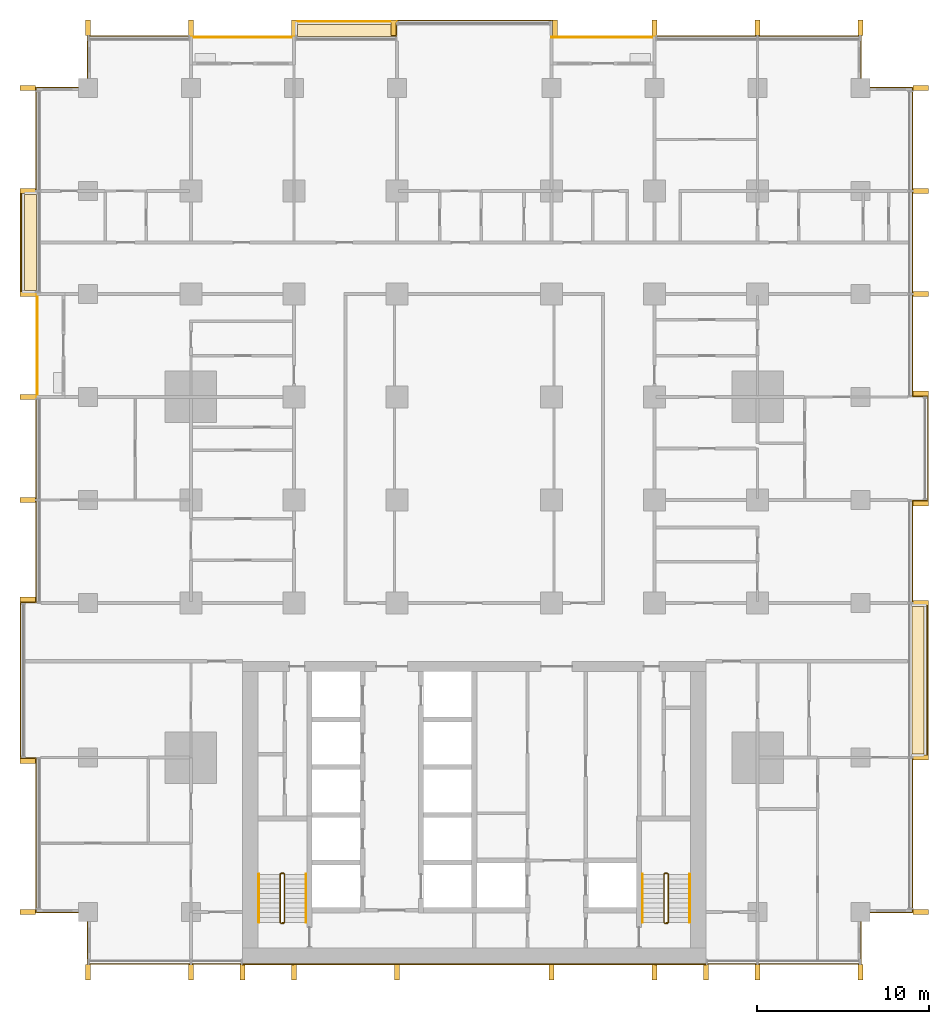
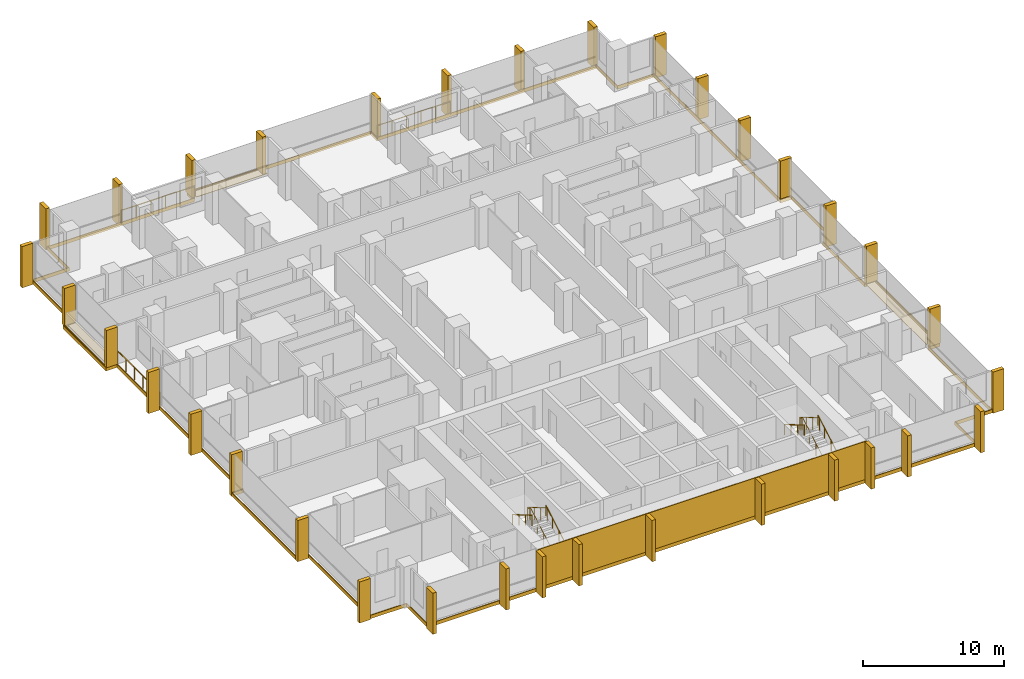
# One storey, part 18 of 18: 34 shading devices, 12 coverings, 9 railings.
"""IFC4 building model written with IfcOpenShell, lengths in metres."""

import ifcopenshell
import ifcopenshell.guid

model = None  # the IFC model being written
_history = None  # IfcOwnerHistory: only IFC2X3 demands one
_inside = {}  # id of a spatial element -> (the spatial element, [elements in it])
_under = {}  # id of a project, library or spatial element -> (it, [spatial elements below it])
_declared = {}  # id of a project -> (the project, [libraries it declares])
_typed = {}  # id of a type object -> (the type object, [elements of that type])
_made_of = {}  # id of a material, layer set ... -> (it, [elements and type objects made of it])


def new_model(schema):
    """Start an empty IFC model of exactly this schema.

    Asked for "IFC4X3", IfcOpenShell would pick the latest addendum, in which some entities
    have other attributes; the version numbers below select the first issue.
    IFC2X3 requires an IfcOwnerHistory on every rooted entity: one is made here for all.
    """
    global model, _history
    if schema == "IFC4X3":
        model = ifcopenshell.file(schema_version=(4, 3, 0, 0))
    else:
        model = ifcopenshell.file(schema=schema)
    _inside.clear()
    _under.clear()
    _declared.clear()
    _typed.clear()
    _made_of.clear()
    _history = None
    if model.schema == "IFC2X3":
        org = make("IfcOrganization", Name="unknown")
        user = make(
            "IfcPersonAndOrganization",
            ThePerson=make("IfcPerson", FamilyName="unknown"),
            TheOrganization=org,
        )
        app = make(
            "IfcApplication",
            ApplicationDeveloper=org,
            Version="unknown",
            ApplicationFullName="unknown",
            ApplicationIdentifier="unknown",
        )
        _history = make(
            "IfcOwnerHistory",
            OwningUser=user,
            OwningApplication=app,
            ChangeAction="ADDED",
            CreationDate=0,
        )
    return model


def make(cls, **values):
    """One entity of the class cls with the attributes given. An attribute that is None is left unset."""
    return model.create_entity(
        cls, **{name: value for name, value in values.items() if value is not None}
    )


def rooted(cls, **values):
    """An entity with a GlobalId (a new one), such as an element, a storey or a relation."""
    return make(cls, GlobalId=ifcopenshell.guid.new(), OwnerHistory=_history, **values)


def si_unit(unit_type, name, prefix=None):
    """IfcSIUnit, for example si_unit("LENGTHUNIT", "METRE", prefix="MILLI")."""
    return make("IfcSIUnit", UnitType=unit_type, Prefix=prefix, Name=name)


def assignment(units):
    """IfcUnitAssignment: the units of a project."""
    return None if units is None else make("IfcUnitAssignment", Units=units)


def point(xyz):
    """IfcCartesianPoint."""
    return None if xyz is None else make("IfcCartesianPoint", Coordinates=xyz)


def direction(xyz):
    """IfcDirection."""
    return None if xyz is None else make("IfcDirection", DirectionRatios=xyz)


def frame(location, z_axis=None, x_axis=None):
    """IfcAxis2Placement3D, a coordinate frame: its origin and axes. An axis left out is left unset."""
    return make(
        "IfcAxis2Placement3D",
        Location=point(location),
        Axis=direction(z_axis),
        RefDirection=direction(x_axis),
    )


def frame_2d(location, x_axis=None):
    """IfcAxis2Placement2D, a coordinate frame in the plane: its origin and x axis."""
    return make(
        "IfcAxis2Placement2D", Location=point(location), RefDirection=direction(x_axis)
    )


def origin():
    """The frame at (0, 0, 0) with its axes left unset."""
    return frame((0.0, 0.0, 0.0))


def origin_2d():
    """The frame at (0, 0) in the plane with its x axis left unset."""
    return frame_2d((0.0, 0.0))


def place(relative_to, where):
    """IfcLocalPlacement: puts the frame where relative to a parent placement (None: the world)."""
    return make(
        "IfcLocalPlacement", PlacementRelTo=relative_to, RelativePlacement=where
    )


def context(
    kind, dimensions, precision=None, world=None, true_north=None, identifier=None
):
    """IfcGeometricRepresentationContext, for example the 3D "Model" context."""
    return make(
        "IfcGeometricRepresentationContext",
        ContextIdentifier=identifier,
        ContextType=kind,
        CoordinateSpaceDimension=dimensions,
        Precision=precision,
        WorldCoordinateSystem=world,
        TrueNorth=true_north,
    )


def subcontext(parent, identifier, kind, view, scale=None):
    """IfcGeometricRepresentationSubContext, for example "Body" below "Model"."""
    return make(
        "IfcGeometricRepresentationSubContext",
        ContextIdentifier=identifier,
        ContextType=kind,
        ParentContext=parent,
        TargetScale=scale,
        TargetView=view,
    )


def project(units=None, contexts=None):
    """IfcProject with its units and contexts."""
    return rooted(
        "IfcProject",
        Name="project",
        RepresentationContexts=contexts,
        UnitsInContext=assignment(units),
    )


def spatial(cls, under=None, at=None, **own):
    """A site, building, storey or space (cls), placed at a placement, below another one or the project."""
    s = rooted(cls, ObjectPlacement=at, **own)
    if under is not None:
        _under.setdefault(under.id(), (under, []))[1].append(s)
    return s


def polyline(points):
    """IfcPolyline through the points."""
    return make("IfcPolyline", Points=[point(p) for p in points])


def profile(cls, at=None, kind="AREA", **sizes):
    """A parametric profile (cls). Its sizes go by their IFC names, for example OverallWidth=200.0."""
    return make(cls, ProfileType=kind, Position=at, **sizes)


def rectangle(**sizes):
    """IfcRectangleProfileDef."""
    return profile("IfcRectangleProfileDef", **sizes)


def circle(**sizes):
    """IfcCircleProfileDef."""
    return profile("IfcCircleProfileDef", **sizes)


def outline(outer, holes=None, kind="AREA"):
    """IfcArbitraryClosedProfileDef: a profile drawn as a closed curve; with holes, ...WithVoids."""
    if holes is None:
        return make("IfcArbitraryClosedProfileDef", ProfileType=kind, OuterCurve=outer)
    return make(
        "IfcArbitraryProfileDefWithVoids",
        ProfileType=kind,
        OuterCurve=outer,
        InnerCurves=holes,
    )


def extrude(swept, where, along, depth):
    """IfcExtrudedAreaSolid: the profile swept, set in the frame where, extruded along a direction by depth."""
    return make(
        "IfcExtrudedAreaSolid",
        SweptArea=swept,
        Position=where,
        ExtrudedDirection=direction(along),
        Depth=depth,
    )


def shape(context_of_items, identifier, shape_type, items):
    """IfcShapeRepresentation: the items that make up one representation, for example the "Body"."""
    return make(
        "IfcShapeRepresentation",
        ContextOfItems=context_of_items,
        RepresentationIdentifier=identifier,
        RepresentationType=shape_type,
        Items=items,
    )


def material(Name=None, Category=None):
    """IfcMaterial."""
    return make("IfcMaterial", Name=Name, Category=Category)


def layer(
    of_material, thickness, ventilated=None, Name=None, Category=None, Priority=None
):
    """IfcMaterialLayer: one layer of a wall or slab, of a material (None: an air gap)."""
    return make(
        "IfcMaterialLayer",
        Material=of_material,
        LayerThickness=thickness,
        IsVentilated=ventilated,
        Name=Name,
        Category=Category,
        Priority=Priority,
    )


def layer_set(layers, Name=None):
    """IfcMaterialLayerSet."""
    return make("IfcMaterialLayerSet", MaterialLayers=layers, LayerSetName=Name)


def made_of(thing, what):
    """Note that an element or type object is made of a material, layer set ...; save() writes the relation."""
    if what is not None:
        _made_of.setdefault(what.id(), (what, []))[1].append(thing)
    return thing


def type_object(cls, material=None, **own):
    """A type object (cls), such as IfcWallType, which elements share."""
    return made_of(rooted(cls, **own), material)


def element(
    cls,
    number,
    at=None,
    inside=None,
    cuts=None,
    type_object=None,
    material=None,
    context=None,
    identifier="Body",
    shape_type=None,
    held_by="IfcProductDefinitionShape",
    body=None,
    shapes=None,
    **own,
):
    """One element of the class cls, such as IfcWall. Its Tag is "e" and its number.

    at: its placement. inside: the storey or other place that contains it. cuts: it is an
    opening in that element (IfcRelVoidsElement). A single representation is given by context,
    identifier, shape_type and body (its items); several are given by shapes. held_by: the class
    of the entity that holds the representations. save() writes the other relations.
    """
    e = rooted(cls, Tag="e%d" % number, ObjectPlacement=at, **own)
    if body is not None:
        shapes = [shape(context, identifier, shape_type, body)]
    if shapes is not None:
        e.Representation = make(held_by, Representations=shapes)
    if inside is not None:
        _inside.setdefault(inside.id(), (inside, []))[1].append(e)
    if cuts is not None:
        rooted(
            "IfcRelVoidsElement", RelatingBuildingElement=cuts, RelatedOpeningElement=e
        )
    if type_object is not None:
        _typed.setdefault(type_object.id(), (type_object, []))[1].append(e)
    return made_of(e, material)


def aggregate(whole, parts):
    """IfcRelAggregates: a whole, such as a stair, and the parts it consists of."""
    return rooted("IfcRelAggregates", RelatingObject=whole, RelatedObjects=parts)


def save(model, path):
    """Write the relations noted so far, then the file.

    IfcRelAggregates (storeys below a building ...), IfcRelContainedInSpatialStructure (elements
    in a storey), IfcRelDefinesByType, IfcRelAssociatesMaterial and IfcRelDeclares: one each for
    every whole, place, type object, material and project.
    """
    for whole, parts in _under.values():
        aggregate(whole, parts)
    for where, things in _inside.values():
        rooted(
            "IfcRelContainedInSpatialStructure",
            RelatedElements=things,
            RelatingStructure=where,
        )
    for kind, things in _typed.values():
        rooted("IfcRelDefinesByType", RelatedObjects=things, RelatingType=kind)
    for what, things in _made_of.values():
        rooted("IfcRelAssociatesMaterial", RelatedObjects=things, RelatingMaterial=what)
    for by, libraries in _declared.values():
        rooted("IfcRelDeclares", RelatingContext=by, RelatedDefinitions=libraries)
    model.write(path)


model = new_model("IFC4")

# Units and contexts
model_context = context("Model", 3, precision=1e-05, world=origin(), true_north=direction((0.0, 1.0)))
body_context = subcontext(model_context, "Body", "Model", "MODEL_VIEW")
ifc_project = project(units=[si_unit("LENGTHUNIT", "METRE"), si_unit("AREAUNIT", "SQUARE_METRE"), si_unit("VOLUMEUNIT", "CUBIC_METRE"), si_unit("PLANEANGLEUNIT", "RADIAN"), si_unit("MASSUNIT", "GRAM", prefix="KILO")], contexts=[model_context])

# Site, building, storey
site_placement = place(None, origin())
site = spatial("IfcSite", under=ifc_project, at=site_placement, CompositionType="ELEMENT")
building_placement = place(site_placement, origin())
building = spatial("IfcBuilding", under=site, at=building_placement, Name="Finial Court Residences", CompositionType="ELEMENT")
storey_placement = place(building_placement, frame((0.0, 0.0, 39.699951171875)))
storey = spatial("IfcBuildingStorey", under=building, at=storey_placement, Name="L08", CompositionType="ELEMENT", Elevation=39.699951171875)

# Railings
ifc_material_1 = material(Name="Bronze anodised aluminium", Category="aluminium")
railing_type_1 = type_object("IfcRailingType", Name="Balcony guard 1100", PredefinedType="GUARDRAIL", material=ifc_material_1)
for number, where, name in (
    (1, (-16.5, 28.449951171875, 0.0), "E-L08-BALN2-R"),
    (2, (4.5, 28.449951171875, 0.0), "E-L08-BALN5-R"),
):
    element("IfcRailing", number, at=place(storey_placement, frame(where)), inside=storey, type_object=railing_type_1, Name=name, PredefinedType="GUARDRAIL", context=body_context, shape_type="SweptSolid", body=[
        extrude(circle(Radius=0.02392578125, at=origin_2d()), frame((0.0, 0.0, 1.076171875), z_axis=(1.0, 0.0, 0.0), x_axis=(0.0, 1.0, 0.0)), (0.0, 0.0, 1.0), 6.0),
        extrude(circle(Radius=0.02099609375, at=origin_2d()), origin(), (0.0, 0.0, 1.0), 1.052001953125),
        extrude(circle(Radius=0.02099609375, at=origin_2d()), frame((1.199951171875, 0.0, 0.0)), (0.0, 0.0, 1.0), 1.052001953125),
        extrude(circle(Radius=0.02099609375, at=origin_2d()), frame((2.39990234375, 0.0, 0.0)), (0.0, 0.0, 1.0), 1.052001953125),
        extrude(circle(Radius=0.02099609375, at=origin_2d()), frame((3.60009765625, 0.0, 0.0)), (0.0, 0.0, 1.0), 1.052001953125),
        extrude(circle(Radius=0.02099609375, at=origin_2d()), frame((4.800048828125, 0.0, 0.0)), (0.0, 0.0, 1.0), 1.052001953125),
        extrude(circle(Radius=0.02099609375, at=origin_2d()), frame((6.0, 0.0, 0.0)), (0.0, 0.0, 1.0), 1.052001953125),
    ])
railing_1_placement = place(storey_placement, frame((-25.449951171875, 7.5, 0.0)))
element("IfcRailing", 3, at=railing_1_placement, inside=storey, type_object=railing_type_1, Name="E-L08-BALW5-R", PredefinedType="GUARDRAIL", context=body_context, shape_type="SweptSolid", body=[
    extrude(circle(Radius=0.02392578125, at=origin_2d()), frame((0.0, 0.0, 1.076171875), z_axis=(0.0, 1.0, 0.0), x_axis=(-1.0, 0.0, 0.0)), (0.0, 0.0, 1.0), 6.0),
    extrude(circle(Radius=0.02099609375, at=origin_2d()), origin(), (0.0, 0.0, 1.0), 1.052001953125),
    extrude(circle(Radius=0.02099609375, at=origin_2d()), frame((0.0, 1.199951171875, 0.0)), (0.0, 0.0, 1.0), 1.052001953125),
    extrude(circle(Radius=0.02099609375, at=origin_2d()), frame((0.0, 2.39990234375, 0.0)), (0.0, 0.0, 1.0), 1.052001953125),
    extrude(circle(Radius=0.02099609375, at=origin_2d()), frame((0.0, 3.60009765625, 0.0)), (0.0, 0.0, 1.0), 1.052001953125),
    extrude(circle(Radius=0.02099609375, at=origin_2d()), frame((0.0, 4.800048828125, 0.0)), (0.0, 0.0, 1.0), 1.052001953125),
    extrude(circle(Radius=0.02099609375, at=origin_2d()), frame((0.0, 6.0, 0.0)), (0.0, 0.0, 1.0), 1.052001953125),
])

# Coverings
ifc_material_2 = material(Name="Natural limestone", Category="masonry")
ifc_layer_1 = layer(ifc_material_2, 0.06005859375)
ifc_layer_set_1 = layer_set([ifc_layer_1], Name="Limestone cladding to the blind core face 60")
covering_type_1 = type_object("IfcCoveringType", Name="Limestone cladding to the blind core face 60", PredefinedType="CLADDING", material=ifc_layer_set_1)
covering_1_placement = place(storey_placement, origin())
element("IfcCovering", 4, at=covering_1_placement, inside=storey, type_object=covering_type_1, Name="E-L08-CLAD1", PredefinedType="CLADDING", context=body_context, shape_type="SweptSolid", body=[
    extrude(outline(polyline([(-10.5, -25.56005859375), (-10.5, -25.5), (-13.5, -25.5), (-13.5, -25.56005859375), (-10.5, -25.56005859375)])), origin(), (0.0, 0.0, 1.0), 3.300048828125),
])
covering_2_placement = place(storey_placement, origin())
element("IfcCovering", 5, at=covering_2_placement, inside=storey, type_object=covering_type_1, Name="E-L08-CLAD2", PredefinedType="CLADDING", context=body_context, shape_type="SweptSolid", body=[
    extrude(outline(polyline([(-4.5, -25.56005859375), (-4.5, -25.5), (-10.5, -25.5), (-10.5, -25.56005859375), (-4.5, -25.56005859375)])), origin(), (0.0, 0.0, 1.0), 3.300048828125),
])
covering_3_placement = place(storey_placement, origin())
element("IfcCovering", 6, at=covering_3_placement, inside=storey, type_object=covering_type_1, Name="E-L08-CLAD3", PredefinedType="CLADDING", context=body_context, shape_type="SweptSolid", body=[
    extrude(outline(polyline([(4.5, -25.56005859375), (4.5, -25.5), (-4.5, -25.5), (-4.5, -25.56005859375), (4.5, -25.56005859375)])), origin(), (0.0, 0.0, 1.0), 3.300048828125),
])
covering_4_placement = place(storey_placement, origin())
element("IfcCovering", 7, at=covering_4_placement, inside=storey, type_object=covering_type_1, Name="E-L08-CLAD4", PredefinedType="CLADDING", context=body_context, shape_type="SweptSolid", body=[
    extrude(outline(polyline([(10.5, -25.56005859375), (10.5, -25.5), (4.5, -25.5), (4.5, -25.56005859375), (10.5, -25.56005859375)])), origin(), (0.0, 0.0, 1.0), 3.300048828125),
])
covering_5_placement = place(storey_placement, origin())
element("IfcCovering", 8, at=covering_5_placement, inside=storey, type_object=covering_type_1, Name="E-L08-CLAD5", PredefinedType="CLADDING", context=body_context, shape_type="SweptSolid", body=[
    extrude(outline(polyline([(13.5, -25.56005859375), (13.5, -25.5), (10.5, -25.5), (10.5, -25.56005859375), (13.5, -25.56005859375)])), origin(), (0.0, 0.0, 1.0), 3.300048828125),
])

# Shading devices
shading_device_type = type_object("IfcShadingDeviceType", Name="Limestone fin 300 x 900", PredefinedType="USERDEFINED", material=ifc_material_2)
for number, where, z_axis, x_axis, name in (
    (9, (-22.5, 29.010009765625, -0.300048828125), (0.0, 0.0, 1.0), (1.0, 0.0, 0.0), "E-L08-FIN-N1"),
    (10, (-16.5, 29.010009765625, -0.300048828125), (0.0, 0.0, 1.0), (1.0, 0.0, 0.0), "E-L08-FIN-N2"),
):
    element("IfcShadingDevice", number, at=place(storey_placement, frame(where, z_axis=z_axis, x_axis=x_axis)), inside=storey, type_object=shading_device_type, Name=name, ObjectType="FIN", PredefinedType="USERDEFINED", context=body_context, shape_type="SweptSolid", body=[
        extrude(rectangle(XDim=0.300048828125, YDim=0.89990234375, at=origin_2d()), origin(), (0.0, 0.0, 1.0), 3.580078125),
    ])
for number, where, z_axis, x_axis, name in (
    (11, (-10.5, 29.010009765625, 0.0400390625), (0.0, 0.0, 1.0), (1.0, 0.0, 0.0), "E-L08-FIN-N3"),
    (12, (-4.7099609375, 29.010009765625, 0.0400390625), (0.0, 0.0, 1.0), (1.0, 0.0, 0.0), "E-L08-FIN-N4"),
):
    element("IfcShadingDevice", number, at=place(storey_placement, frame(where, z_axis=z_axis, x_axis=x_axis)), inside=storey, type_object=shading_device_type, Name=name, ObjectType="FIN", PredefinedType="USERDEFINED", context=body_context, shape_type="SweptSolid", body=[
        extrude(rectangle(XDim=0.300048828125, YDim=0.89990234375, at=origin_2d()), origin(), (0.0, 0.0, 1.0), 3.239990234375),
    ])
for number, where, z_axis, x_axis, name in (
    (13, (4.7099609375, 29.010009765625, -0.300048828125), (0.0, 0.0, 1.0), (1.0, 0.0, 0.0), "E-L08-FIN-N5"),
    (14, (10.5, 29.010009765625, -0.300048828125), (0.0, 0.0, 1.0), (1.0, 0.0, 0.0), "E-L08-FIN-N6"),
    (15, (16.5, 29.010009765625, -0.300048828125), (0.0, 0.0, 1.0), (1.0, 0.0, 0.0), "E-L08-FIN-N7"),
    (16, (22.5, 29.010009765625, -0.300048828125), (0.0, 0.0, 1.0), (1.0, 0.0, 0.0), "E-L08-FIN-N8"),
):
    element("IfcShadingDevice", number, at=place(storey_placement, frame(where, z_axis=z_axis, x_axis=x_axis)), inside=storey, type_object=shading_device_type, Name=name, ObjectType="FIN", PredefinedType="USERDEFINED", context=body_context, shape_type="SweptSolid", body=[
        extrude(rectangle(XDim=0.300048828125, YDim=0.89990234375, at=origin_2d()), origin(), (0.0, 0.0, 1.0), 3.580078125),
    ])
shading_device_1_placement = place(storey_placement, frame((26.010009765625, -22.5, -0.300048828125), z_axis=(0.0, 0.0, 1.0), x_axis=(1.0, 0.0, 0.0)))
element("IfcShadingDevice", 17, at=shading_device_1_placement, inside=storey, type_object=shading_device_type, Name="E-L08-FIN-E9", ObjectType="FIN", PredefinedType="USERDEFINED", context=body_context, shape_type="SweptSolid", body=[
    extrude(rectangle(XDim=0.89990234375, YDim=0.300048828125, at=origin_2d()), origin(), (0.0, 0.0, 1.0), 3.580078125),
])
for number, where, z_axis, x_axis, name in (
    (18, (26.010009765625, -13.5, 0.0400390625), (0.0, 0.0, 1.0), (1.0, 0.0, 0.0), "E-L08-FIN-E10"),
    (19, (26.010009765625, -4.5, 0.0400390625), (0.0, 0.0, 1.0), (1.0, 0.0, 0.0), "E-L08-FIN-E11"),
):
    element("IfcShadingDevice", number, at=place(storey_placement, frame(where, z_axis=z_axis, x_axis=x_axis)), inside=storey, type_object=shading_device_type, Name=name, ObjectType="FIN", PredefinedType="USERDEFINED", context=body_context, shape_type="SweptSolid", body=[
        extrude(rectangle(XDim=0.89990234375, YDim=0.300048828125, at=origin_2d()), origin(), (0.0, 0.0, 1.0), 3.239990234375),
    ])
for number, where, z_axis, x_axis, name in (
    (20, (26.010009765625, 1.2900390625, -0.300048828125), (0.0, 0.0, 1.0), (1.0, 0.0, 0.0), "E-L08-FIN-E12"),
    (21, (26.010009765625, 7.7099609375, -0.300048828125), (0.0, 0.0, 1.0), (1.0, 0.0, 0.0), "E-L08-FIN-E13"),
    (22, (26.010009765625, 13.5, -0.300048828125), (0.0, 0.0, 1.0), (1.0, 0.0, 0.0), "E-L08-FIN-E14"),
    (23, (26.010009765625, 19.5, -0.300048828125), (0.0, 0.0, 1.0), (1.0, 0.0, 0.0), "E-L08-FIN-E15"),
    (24, (26.010009765625, 25.5, -0.300048828125), (0.0, 0.0, 1.0), (1.0, 0.0, 0.0), "E-L08-FIN-E16"),
):
    element("IfcShadingDevice", number, at=place(storey_placement, frame(where, z_axis=z_axis, x_axis=x_axis)), inside=storey, type_object=shading_device_type, Name=name, ObjectType="FIN", PredefinedType="USERDEFINED", context=body_context, shape_type="SweptSolid", body=[
        extrude(rectangle(XDim=0.89990234375, YDim=0.300048828125, at=origin_2d()), origin(), (0.0, 0.0, 1.0), 3.580078125),
    ])
for number, where, z_axis, x_axis, name in (
    (25, (-22.5, -26.010009765625, -0.300048828125), (0.0, 0.0, 1.0), (1.0, 0.0, 0.0), "E-L08-FIN-S17"),
    (26, (-16.5, -26.010009765625, -0.300048828125), (0.0, 0.0, 1.0), (1.0, 0.0, 0.0), "E-L08-FIN-S18"),
    (27, (-13.5, -26.010009765625, -0.300048828125), (0.0, 0.0, 1.0), (1.0, 0.0, 0.0), "E-L08-FIN-S19"),
    (28, (-10.5, -26.010009765625, -0.300048828125), (0.0, 0.0, 1.0), (1.0, 0.0, 0.0), "E-L08-FIN-S20"),
    (29, (-4.5, -26.010009765625, -0.300048828125), (0.0, 0.0, 1.0), (1.0, 0.0, 0.0), "E-L08-FIN-S21"),
    (30, (4.5, -26.010009765625, -0.300048828125), (0.0, 0.0, 1.0), (1.0, 0.0, 0.0), "E-L08-FIN-S22"),
    (31, (10.5, -26.010009765625, -0.300048828125), (0.0, 0.0, 1.0), (1.0, 0.0, 0.0), "E-L08-FIN-S23"),
    (32, (13.5, -26.010009765625, -0.300048828125), (0.0, 0.0, 1.0), (1.0, 0.0, 0.0), "E-L08-FIN-S24"),
    (33, (16.5, -26.010009765625, -0.300048828125), (0.0, 0.0, 1.0), (1.0, 0.0, 0.0), "E-L08-FIN-S25"),
    (34, (22.5, -26.010009765625, -0.300048828125), (0.0, 0.0, 1.0), (1.0, 0.0, 0.0), "E-L08-FIN-S26"),
):
    element("IfcShadingDevice", number, at=place(storey_placement, frame(where, z_axis=z_axis, x_axis=x_axis)), inside=storey, type_object=shading_device_type, Name=name, ObjectType="FIN", PredefinedType="USERDEFINED", context=body_context, shape_type="SweptSolid", body=[
        extrude(rectangle(XDim=0.300048828125, YDim=0.89990234375, at=origin_2d()), origin(), (0.0, 0.0, 1.0), 3.580078125),
    ])
for number, where, z_axis, x_axis, name in (
    (35, (-26.010009765625, -22.5, -0.300048828125), (0.0, 0.0, 1.0), (1.0, 0.0, 0.0), "E-L08-FIN-W27"),
    (36, (-26.010009765625, -13.7099609375, -0.300048828125), (0.0, 0.0, 1.0), (1.0, 0.0, 0.0), "E-L08-FIN-W28"),
    (37, (-26.010009765625, -4.2900390625, -0.300048828125), (0.0, 0.0, 1.0), (1.0, 0.0, 0.0), "E-L08-FIN-W29"),
    (38, (-26.010009765625, 1.5, -0.300048828125), (0.0, 0.0, 1.0), (1.0, 0.0, 0.0), "E-L08-FIN-W30"),
    (39, (-26.010009765625, 7.5, -0.300048828125), (0.0, 0.0, 1.0), (1.0, 0.0, 0.0), "E-L08-FIN-W31"),
):
    element("IfcShadingDevice", number, at=place(storey_placement, frame(where, z_axis=z_axis, x_axis=x_axis)), inside=storey, type_object=shading_device_type, Name=name, ObjectType="FIN", PredefinedType="USERDEFINED", context=body_context, shape_type="SweptSolid", body=[
        extrude(rectangle(XDim=0.89990234375, YDim=0.300048828125, at=origin_2d()), origin(), (0.0, 0.0, 1.0), 3.580078125),
    ])
for number, where, z_axis, x_axis, name in (
    (40, (-26.010009765625, 13.5, 0.0400390625), (0.0, 0.0, 1.0), (1.0, 0.0, 0.0), "E-L08-FIN-W32"),
    (41, (-26.010009765625, 19.5, 0.0400390625), (0.0, 0.0, 1.0), (1.0, 0.0, 0.0), "E-L08-FIN-W33"),
):
    element("IfcShadingDevice", number, at=place(storey_placement, frame(where, z_axis=z_axis, x_axis=x_axis)), inside=storey, type_object=shading_device_type, Name=name, ObjectType="FIN", PredefinedType="USERDEFINED", context=body_context, shape_type="SweptSolid", body=[
        extrude(rectangle(XDim=0.89990234375, YDim=0.300048828125, at=origin_2d()), origin(), (0.0, 0.0, 1.0), 3.239990234375),
    ])
shading_device_2_placement = place(storey_placement, frame((-26.010009765625, 25.5, -0.300048828125), z_axis=(0.0, 0.0, 1.0), x_axis=(1.0, 0.0, 0.0)))
element("IfcShadingDevice", 42, at=shading_device_2_placement, inside=storey, type_object=shading_device_type, Name="E-L08-FIN-W34", ObjectType="FIN", PredefinedType="USERDEFINED", context=body_context, shape_type="SweptSolid", body=[
    extrude(rectangle(XDim=0.89990234375, YDim=0.300048828125, at=origin_2d()), origin(), (0.0, 0.0, 1.0), 3.580078125),
])

# Coverings
ifc_material_3 = material(Name="Pale limestone", Category="masonry")
ifc_layer_2 = layer(ifc_material_3, 0.06005859375)
ifc_layer_set_2 = layer_set([ifc_layer_2], Name="Pale limestone slab-edge band 60")
covering_type_2 = type_object("IfcCoveringType", Name="Pale limestone slab-edge band 60", PredefinedType="CLADDING", material=ifc_layer_set_2)
covering_6_placement = place(storey_placement, frame((0.0, 0.0, -0.300048828125)))
element("IfcCovering", 43, at=covering_6_placement, inside=storey, type_object=covering_type_2, Name="E-L08-BAND1", PredefinedType="CLADDING", context=body_context, shape_type="SweptSolid", body=[
    extrude(outline(polyline([(22.56005859375, -22.56005859375), (22.56005859375, -25.56005859375), (-22.56005859375, -25.56005859375), (-22.56005859375, -22.56005859375), (-25.56005859375, -22.56005859375), (-25.56005859375, -13.56005859375), (-26.4599609375, -13.56005859375), (-26.4599609375, -4.43994140625), (-25.56005859375, -4.43994140625), (-25.56005859375, 13.43994140625), (-26.4599609375, 13.43994140625), (-26.4599609375, 19.56005859375), (-25.56005859375, 19.56005859375), (-25.56005859375, 25.56005859375), (-22.56005859375, 25.56005859375), (-22.56005859375, 28.56005859375), (-10.56005859375, 28.56005859375), (-10.56005859375, 29.4599609375), (4.56005859375, 29.4599609375), (4.56005859375, 28.56005859375), (22.56005859375, 28.56005859375), (22.56005859375, 25.56005859375), (25.56005859375, 25.56005859375), (25.56005859375, 7.56005859375), (26.4599609375, 7.56005859375), (26.4599609375, 1.43994140625), (25.56005859375, 1.43994140625), (25.56005859375, -4.43994140625), (26.4599609375, -4.43994140625), (26.4599609375, -13.56005859375), (25.56005859375, -13.56005859375), (25.56005859375, -22.56005859375), (22.56005859375, -22.56005859375)]), holes=[polyline([(25.5, -13.5), (26.39990234375, -13.5), (26.39990234375, -4.5), (25.5, -4.5), (25.5, 1.5), (26.39990234375, 1.5), (26.39990234375, 7.5), (25.5, 7.5), (25.5, 25.5), (22.5, 25.5), (22.5, 28.5), (10.5, 28.5), (4.5, 28.5), (4.5, 29.39990234375), (-4.5, 29.39990234375), (-10.5, 29.39990234375), (-10.5, 28.5), (-16.5, 28.5), (-22.5, 28.5), (-22.5, 25.5), (-25.5, 25.5), (-25.5, 19.5), (-26.39990234375, 19.5), (-26.39990234375, 13.5), (-25.5, 13.5), (-25.5, 7.5), (-25.5, -4.5), (-26.39990234375, -4.5), (-26.39990234375, -13.5), (-25.5, -13.5), (-25.5, -22.5), (-22.5, -22.5), (-22.5, -25.5), (22.5, -25.5), (22.5, -22.5), (25.5, -22.5), (25.5, -13.5)])]), origin(), (0.0, 0.0, 1.0), 0.300048828125),
])
ifc_material_4 = material(Name="Bitumen membrane")
ifc_layer_3 = layer(ifc_material_4, 0.0400390625)
ifc_layer_set_3 = layer_set([ifc_layer_3], Name="Push box roofing, bitumen membrane 40")
covering_type_3 = type_object("IfcCoveringType", Name="Push box roofing, bitumen membrane 40", PredefinedType="ROOFING", material=ifc_layer_set_3)
covering_7_placement = place(storey_placement, origin())
element("IfcCovering", 44, at=covering_7_placement, inside=storey, type_object=covering_type_3, Name="E-L08-LED1", PredefinedType="ROOFING", context=body_context, shape_type="SweptSolid", body=[
    extrude(outline(polyline([(-25.5, 19.449951171875), (-26.199951171875, 19.449951171875), (-26.35009765625, 19.449951171875), (-26.35009765625, 13.699951171875), (-26.35009765625, 13.699951171875), (-26.35009765625, 13.550048828125), (-25.5, 13.550048828125), (-25.5, 13.5), (-26.39990234375, 13.5), (-26.39990234375, 19.5), (-25.5, 19.5), (-25.5, 19.449951171875)])), origin(), (0.0, 0.0, 1.0), 0.0400390625),
])
covering_8_placement = place(storey_placement, origin())
element("IfcCovering", 45, at=covering_8_placement, inside=storey, type_object=covering_type_3, Name="E-L08-LED1b", PredefinedType="ROOFING", context=body_context, shape_type="SweptSolid", body=[
    extrude(outline(polyline([(-25.5, 13.699951171875), (-26.199951171875, 13.699951171875), (-26.199951171875, 19.300048828125), (-25.5, 19.300048828125), (-25.5, 13.699951171875)])), origin(), (0.0, 0.0, 1.0), 0.0400390625),
])
covering_9_placement = place(storey_placement, origin())
element("IfcCovering", 46, at=covering_9_placement, inside=storey, type_object=covering_type_3, Name="E-L08-LED2", PredefinedType="ROOFING", context=body_context, shape_type="SweptSolid", body=[
    extrude(outline(polyline([(-10.300048828125, 28.5), (-10.300048828125, 29.199951171875), (-4.5, 29.199951171875), (-4.5, 28.5), (-10.300048828125, 28.5)])), origin(), (0.0, 0.0, 1.0), 0.0400390625),
])
covering_10_placement = place(storey_placement, origin())
element("IfcCovering", 47, at=covering_10_placement, inside=storey, type_object=covering_type_3, Name="E-L08-LED2b", PredefinedType="ROOFING", context=body_context, shape_type="SweptSolid", body=[
    extrude(outline(polyline([(-10.5, 28.5), (-10.5, 29.39990234375), (-4.5, 29.39990234375), (-4.5, 29.35009765625), (-10.300048828125, 29.35009765625), (-10.300048828125, 29.35009765625), (-10.449951171875, 29.35009765625), (-10.449951171875, 28.5), (-10.5, 28.5)])), origin(), (0.0, 0.0, 1.0), 0.0400390625),
])
covering_11_placement = place(storey_placement, origin())
element("IfcCovering", 48, at=covering_11_placement, inside=storey, type_object=covering_type_3, Name="E-L08-LED3", PredefinedType="ROOFING", context=body_context, shape_type="SweptSolid", body=[
    extrude(outline(polyline([(25.5, -13.449951171875), (26.199951171875, -13.449951171875), (26.35009765625, -13.449951171875), (26.35009765625, -4.699951171875), (26.35009765625, -4.699951171875), (26.35009765625, -4.550048828125), (25.5, -4.550048828125), (25.5, -4.5), (26.39990234375, -4.5), (26.39990234375, -13.5), (25.5, -13.5), (25.5, -13.449951171875)])), origin(), (0.0, 0.0, 1.0), 0.0400390625),
])
covering_12_placement = place(storey_placement, origin())
element("IfcCovering", 49, at=covering_12_placement, inside=storey, type_object=covering_type_3, Name="E-L08-LED3b", PredefinedType="ROOFING", context=body_context, shape_type="SweptSolid", body=[
    extrude(outline(polyline([(25.5, -4.699951171875), (26.199951171875, -4.699951171875), (26.199951171875, -13.300048828125), (25.5, -13.300048828125), (25.5, -4.699951171875)])), origin(), (0.0, 0.0, 1.0), 0.0400390625),
])

# Railings
ifc_material_5 = material(Name="Stainless steel railing", Category="steel")
railing_type_2 = type_object("IfcRailingType", Name="Stair guard 1100", PredefinedType="GUARDRAIL", material=ifc_material_5)
railing_2_placement = place(storey_placement, frame((-11.10009765625, -23.14990234375, 0.0)))
element("IfcRailing", 50, at=railing_2_placement, inside=storey, type_object=railing_type_2, Name="L08 ST-1 stair guard 1", PredefinedType="GUARDRAIL", context=body_context, shape_type="SweptSolid", body=[
    extrude(circle(Radius=0.02392578125, at=origin_2d()), frame((0.0, 0.0, 1.076171875), z_axis=(-1.0, 0.0, 0.0), x_axis=(0.0, -1.0, 0.0)), (0.0, 0.0, 1.0), 0.14990234375),
    extrude(circle(Radius=0.02392578125, at=origin_2d()), frame((-0.14990234375, 0.0, 1.076171875), z_axis=(0.760004195007, 0.189305074214, 0.621737253547), x_axis=(-0.241699205484, 0.970351222016, 0.0)), (0.0, 0.0, 1.0), 0.26318359375),
    extrude(circle(Radius=0.02392578125, at=origin_2d()), frame((0.050048828125, 0.0498046875, 1.23974609375), z_axis=(0.0, 0.863360870873, 0.504586966384), x_axis=(-1.0, 0.0, 0.0)), (0.0, 0.0, 1.0), 3.2431640625),
    extrude(circle(Radius=0.02392578125, at=origin_2d()), frame((0.050048828125, 2.849853515625, 2.8759765625), z_axis=(-0.707106781187, 0.707106781187, 0.0), x_axis=(-0.707106781187, -0.707106781187, 0.0)), (0.0, 0.0, 1.0), 0.07080078125),
    extrude(circle(Radius=0.02392578125, at=origin_2d()), frame((0.0, 2.89990234375, 2.8759765625), z_axis=(-1.0, 0.0, 0.0), x_axis=(0.0, -1.0, 0.0)), (0.0, 0.0, 1.0), 0.14990234375),
    extrude(circle(Radius=0.02392578125, at=origin_2d()), frame((-0.14990234375, 2.89990234375, 2.8759765625), z_axis=(-0.280808744504, -0.280808744504, 0.917765164963), x_axis=(0.707106781187, -0.707106781187, 0.0)), (0.0, 0.0, 1.0), 0.17822265625),
    extrude(circle(Radius=0.02392578125, at=origin_2d()), frame((-0.199951171875, 2.849853515625, 3.03955078125), z_axis=(0.0, -0.863360870873, 0.504586966384), x_axis=(1.0, 0.0, 0.0)), (0.0, 0.0, 1.0), 3.2431640625),
    extrude(circle(Radius=0.02099609375, at=origin_2d()), origin(), (0.0, 0.0, 1.0), 1.052001953125),
    extrude(circle(Radius=0.02099609375, at=origin_2d()), frame((-0.14990234375, 0.0, 0.0)), (0.0, 0.0, 1.0), 1.052001953125),
    extrude(circle(Radius=0.02099609375, at=origin_2d()), frame((0.050048828125, 0.0498046875, 0.16357421875)), (0.0, 0.0, 1.0), 1.052001953125),
    extrude(circle(Radius=0.02099609375, at=origin_2d()), frame((0.050048828125, 0.983154296875, 0.708984375)), (0.0, 0.0, 1.0), 1.052001953125),
    extrude(circle(Radius=0.02099609375, at=origin_2d()), frame((0.050048828125, 1.91650390625, 1.254638671875)), (0.0, 0.0, 1.0), 1.052001953125),
    extrude(circle(Radius=0.02099609375, at=origin_2d()), frame((0.050048828125, 2.849853515625, 1.800048828125)), (0.0, 0.0, 1.0), 1.052001953125),
    extrude(circle(Radius=0.02099609375, at=origin_2d()), frame((0.0, 2.89990234375, 1.800048828125)), (0.0, 0.0, 1.0), 1.052001953125),
    extrude(circle(Radius=0.02099609375, at=origin_2d()), frame((-0.14990234375, 2.89990234375, 1.800048828125)), (0.0, 0.0, 1.0), 1.052001953125),
    extrude(circle(Radius=0.02099609375, at=origin_2d()), frame((-0.199951171875, 2.849853515625, 1.963623046875)), (0.0, 0.0, 1.0), 1.052001953125),
    extrude(circle(Radius=0.02099609375, at=origin_2d()), frame((-0.199951171875, 1.91650390625, 2.509033203125)), (0.0, 0.0, 1.0), 1.052001953125),
    extrude(circle(Radius=0.02099609375, at=origin_2d()), frame((-0.199951171875, 0.983154296875, 3.0546875)), (0.0, 0.0, 1.0), 1.052001953125),
    extrude(circle(Radius=0.02099609375, at=origin_2d()), frame((-0.199951171875, 0.0498046875, 3.60009765625)), (0.0, 0.0, 1.0), 1.052001953125),
])
railing_3_placement = place(storey_placement, frame((11.25, -23.14990234375, 0.0)))
element("IfcRailing", 51, at=railing_3_placement, inside=storey, type_object=railing_type_2, Name="L08 ST-2 stair guard 1", PredefinedType="GUARDRAIL", context=body_context, shape_type="SweptSolid", body=[
    extrude(circle(Radius=0.02392578125, at=origin_2d()), frame((0.0, 0.0, 1.076171875), z_axis=(-1.0, 0.0, 0.0), x_axis=(0.0, -1.0, 0.0)), (0.0, 0.0, 1.0), 0.14990234375),
    extrude(circle(Radius=0.02392578125, at=origin_2d()), frame((-0.14990234375, 0.0, 1.076171875), z_axis=(0.760004195007, 0.189305074214, 0.621737253547), x_axis=(-0.241699205484, 0.970351222016, 0.0)), (0.0, 0.0, 1.0), 0.26318359375),
    extrude(circle(Radius=0.02392578125, at=origin_2d()), frame((0.050048828125, 0.0498046875, 1.23974609375), z_axis=(0.0, 0.863360870873, 0.504586966384), x_axis=(-1.0, 0.0, 0.0)), (0.0, 0.0, 1.0), 3.2431640625),
    extrude(circle(Radius=0.02392578125, at=origin_2d()), frame((0.050048828125, 2.849853515625, 2.8759765625), z_axis=(-0.707106781187, 0.707106781187, 0.0), x_axis=(-0.707106781187, -0.707106781187, 0.0)), (0.0, 0.0, 1.0), 0.07080078125),
    extrude(circle(Radius=0.02392578125, at=origin_2d()), frame((0.0, 2.89990234375, 2.8759765625), z_axis=(-1.0, 0.0, 0.0), x_axis=(0.0, -1.0, 0.0)), (0.0, 0.0, 1.0), 0.14990234375),
    extrude(circle(Radius=0.02392578125, at=origin_2d()), frame((-0.14990234375, 2.89990234375, 2.8759765625), z_axis=(-0.280808744504, -0.280808744504, 0.917765164963), x_axis=(0.707106781187, -0.707106781187, 0.0)), (0.0, 0.0, 1.0), 0.17822265625),
    extrude(circle(Radius=0.02392578125, at=origin_2d()), frame((-0.199951171875, 2.849853515625, 3.03955078125), z_axis=(0.0, -0.863360870873, 0.504586966384), x_axis=(1.0, 0.0, 0.0)), (0.0, 0.0, 1.0), 3.2431640625),
    extrude(circle(Radius=0.02099609375, at=origin_2d()), origin(), (0.0, 0.0, 1.0), 1.052001953125),
    extrude(circle(Radius=0.02099609375, at=origin_2d()), frame((-0.14990234375, 0.0, 0.0)), (0.0, 0.0, 1.0), 1.052001953125),
    extrude(circle(Radius=0.02099609375, at=origin_2d()), frame((0.050048828125, 0.0498046875, 0.16357421875)), (0.0, 0.0, 1.0), 1.052001953125),
    extrude(circle(Radius=0.02099609375, at=origin_2d()), frame((0.050048828125, 0.983154296875, 0.708984375)), (0.0, 0.0, 1.0), 1.052001953125),
    extrude(circle(Radius=0.02099609375, at=origin_2d()), frame((0.050048828125, 1.91650390625, 1.254638671875)), (0.0, 0.0, 1.0), 1.052001953125),
    extrude(circle(Radius=0.02099609375, at=origin_2d()), frame((0.050048828125, 2.849853515625, 1.800048828125)), (0.0, 0.0, 1.0), 1.052001953125),
    extrude(circle(Radius=0.02099609375, at=origin_2d()), frame((0.0, 2.89990234375, 1.800048828125)), (0.0, 0.0, 1.0), 1.052001953125),
    extrude(circle(Radius=0.02099609375, at=origin_2d()), frame((-0.14990234375, 2.89990234375, 1.800048828125)), (0.0, 0.0, 1.0), 1.052001953125),
    extrude(circle(Radius=0.02099609375, at=origin_2d()), frame((-0.199951171875, 2.849853515625, 1.963623046875)), (0.0, 0.0, 1.0), 1.052001953125),
    extrude(circle(Radius=0.02099609375, at=origin_2d()), frame((-0.199951171875, 1.91650390625, 2.509033203125)), (0.0, 0.0, 1.0), 1.052001953125),
    extrude(circle(Radius=0.02099609375, at=origin_2d()), frame((-0.199951171875, 0.983154296875, 3.0546875)), (0.0, 0.0, 1.0), 1.052001953125),
    extrude(circle(Radius=0.02099609375, at=origin_2d()), frame((-0.199951171875, 0.0498046875, 3.60009765625)), (0.0, 0.0, 1.0), 1.052001953125),
])
railing_type_3 = type_object("IfcRailingType", Name="Stair handrail 900", PredefinedType="HANDRAIL", material=ifc_material_5)
railing_4_placement = place(storey_placement, frame((-9.800048828125, -23.10009765625, 0.16357421875)))
element("IfcRailing", 52, at=railing_4_placement, inside=storey, type_object=railing_type_3, Name="L08 ST-1 stair handrail 1", PredefinedType="HANDRAIL", context=body_context, shape_type="SweptSolid", body=[
    extrude(circle(Radius=0.02392578125, at=origin_2d()), frame((0.0, 0.0, 0.8759765625), z_axis=(0.0, 0.863360870873, 0.504586966384), x_axis=(-1.0, 0.0, 0.0)), (0.0, 0.0, 1.0), 3.2431640625),
    extrude(circle(Radius=0.02099609375, at=origin_2d()), origin(), (0.0, 0.0, 1.0), 0.851806640625),
    extrude(circle(Radius=0.02099609375, at=origin_2d()), frame((0.0, 0.933349609375, 0.54541015625)), (0.0, 0.0, 1.0), 0.851806640625),
    extrude(circle(Radius=0.02099609375, at=origin_2d()), frame((0.0, 1.86669921875, 1.091064453125)), (0.0, 0.0, 1.0), 0.851806640625),
    extrude(circle(Radius=0.02099609375, at=origin_2d()), frame((0.0, 2.800048828125, 1.636474609375)), (0.0, 0.0, 1.0), 0.851806640625),
])
railing_5_placement = place(storey_placement, frame((-12.550048828125, -20.300048828125, 1.963623046875)))
element("IfcRailing", 53, at=railing_5_placement, inside=storey, type_object=railing_type_3, Name="L08 ST-1 stair handrail 2", PredefinedType="HANDRAIL", context=body_context, shape_type="SweptSolid", body=[
    extrude(circle(Radius=0.02392578125, at=origin_2d()), frame((0.0, 0.0, 0.8759765625), z_axis=(0.0, -0.863360870873, 0.504586966384), x_axis=(1.0, 0.0, 0.0)), (0.0, 0.0, 1.0), 3.2431640625),
    extrude(circle(Radius=0.02099609375, at=origin_2d()), origin(), (0.0, 0.0, 1.0), 0.851806640625),
    extrude(circle(Radius=0.02099609375, at=origin_2d()), frame((0.0, -0.933349609375, 0.54541015625)), (0.0, 0.0, 1.0), 0.851806640625),
    extrude(circle(Radius=0.02099609375, at=origin_2d()), frame((0.0, -1.86669921875, 1.091064453125)), (0.0, 0.0, 1.0), 0.851806640625),
    extrude(circle(Radius=0.02099609375, at=origin_2d()), frame((0.0, -2.800048828125, 1.636474609375)), (0.0, 0.0, 1.0), 0.851806640625),
])
railing_6_placement = place(storey_placement, frame((12.550048828125, -23.10009765625, 0.16357421875)))
element("IfcRailing", 54, at=railing_6_placement, inside=storey, type_object=railing_type_3, Name="L08 ST-2 stair handrail 1", PredefinedType="HANDRAIL", context=body_context, shape_type="SweptSolid", body=[
    extrude(circle(Radius=0.02392578125, at=origin_2d()), frame((0.0, 0.0, 0.8759765625), z_axis=(0.0, 0.863360870873, 0.504586966384), x_axis=(-1.0, 0.0, 0.0)), (0.0, 0.0, 1.0), 3.2431640625),
    extrude(circle(Radius=0.02099609375, at=origin_2d()), origin(), (0.0, 0.0, 1.0), 0.851806640625),
    extrude(circle(Radius=0.02099609375, at=origin_2d()), frame((0.0, 0.933349609375, 0.54541015625)), (0.0, 0.0, 1.0), 0.851806640625),
    extrude(circle(Radius=0.02099609375, at=origin_2d()), frame((0.0, 1.86669921875, 1.091064453125)), (0.0, 0.0, 1.0), 0.851806640625),
    extrude(circle(Radius=0.02099609375, at=origin_2d()), frame((0.0, 2.800048828125, 1.636474609375)), (0.0, 0.0, 1.0), 0.851806640625),
])
railing_7_placement = place(storey_placement, frame((9.800048828125, -20.300048828125, 1.963623046875)))
element("IfcRailing", 55, at=railing_7_placement, inside=storey, type_object=railing_type_3, Name="L08 ST-2 stair handrail 2", PredefinedType="HANDRAIL", context=body_context, shape_type="SweptSolid", body=[
    extrude(circle(Radius=0.02392578125, at=origin_2d()), frame((0.0, 0.0, 0.8759765625), z_axis=(0.0, -0.863360870873, 0.504586966384), x_axis=(1.0, 0.0, 0.0)), (0.0, 0.0, 1.0), 3.2431640625),
    extrude(circle(Radius=0.02099609375, at=origin_2d()), origin(), (0.0, 0.0, 1.0), 0.851806640625),
    extrude(circle(Radius=0.02099609375, at=origin_2d()), frame((0.0, -0.933349609375, 0.54541015625)), (0.0, 0.0, 1.0), 0.851806640625),
    extrude(circle(Radius=0.02099609375, at=origin_2d()), frame((0.0, -1.86669921875, 1.091064453125)), (0.0, 0.0, 1.0), 0.851806640625),
    extrude(circle(Radius=0.02099609375, at=origin_2d()), frame((0.0, -2.800048828125, 1.636474609375)), (0.0, 0.0, 1.0), 0.851806640625),
])

save(model, "model.ifc")
